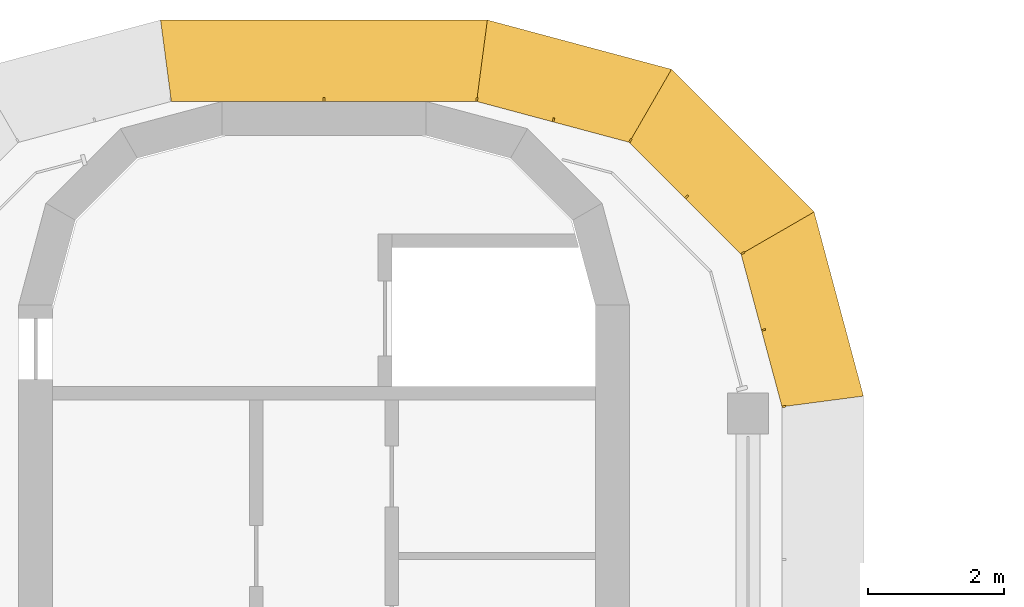
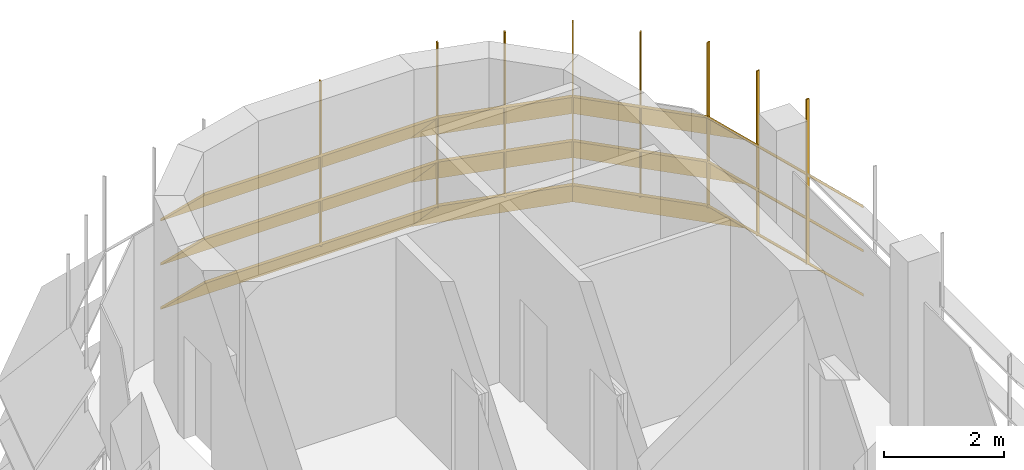
# One storey, part 19 of 19: 2 shading devices.
"""IFC4 building model written with IfcOpenShell, lengths in metres."""

from ifc_helpers import new_model, si_unit, direction, frame, origin, place, context, subcontext, project, spatial, polyline, outline, extrude, faceted_brep, source, transform, mapped, material, type_object, element, save


model = new_model("IFC4")

# Units and contexts
model_context = context("Model", 3, precision=1e-05, world=origin(), true_north=direction((0.0, 1.0)))
body_context = subcontext(model_context, "Body", "Model", "MODEL_VIEW")
ifc_project = project(units=[si_unit("LENGTHUNIT", "METRE"), si_unit("AREAUNIT", "SQUARE_METRE"), si_unit("VOLUMEUNIT", "CUBIC_METRE"), si_unit("PLANEANGLEUNIT", "RADIAN"), si_unit("MASSUNIT", "GRAM", prefix="KILO")], contexts=[model_context])

# Site, building, storey
site_placement = place(None, origin())
site = spatial("IfcSite", under=ifc_project, at=site_placement, CompositionType="ELEMENT")
building_placement = place(site_placement, origin())
building = spatial("IfcBuilding", under=site, at=building_placement, Name="Zarbagh Exchange Tower", CompositionType="ELEMENT")
storey_placement = place(building_placement, frame((0.0, 0.0, 276.39990234375)))
storey = spatial("IfcBuildingStorey", under=building, at=storey_placement, Name="L68", CompositionType="ELEMENT", Elevation=276.39990234375)

# Shading devices
ifc_material = material(Name="Anodised aluminium blades and brackets", Category="aluminium")
shading_device_type = type_object("IfcShadingDeviceType", Name="SUNSHADE louvre band, 45 degree blades", PredefinedType="JALOUSIE", material=ifc_material)
shared_shape_1 = source(origin(), body_context, "Body", "Brep", [
    faceted_brep([(0.0, 0.0, 0.0), (0.0, 0.0, -0.056640625), (-0.157958984375, -1.199951171875, -1.256591796875), (-0.157958984375, -1.199951171875, -1.199951171875), (2.65087890625, -1.199951171875, -1.199951171875), (2.65087890625, -1.199951171875, -1.256591796875), (2.329345703125, 0.0, -0.056640625), (2.329345703125, 0.0, 0.0)], [[[0, 1, 2, 3]], [[4, 5, 6, 7]], [[0, 7, 6, 1]], [[1, 6, 5, 2]], [[2, 5, 4, 3]], [[3, 4, 7, 0]]]),
])
shared_shape_2 = source(origin(), body_context, "Body", "Brep", [
    faceted_brep([(0.0, 0.0, 0.0), (0.0, 0.0, -0.056640625), (-0.321533203125, -1.199951171875, -1.256591796875), (-0.321533203125, -1.199951171875, -1.199951171875), (2.65087890625, -1.199951171875, -1.199951171875), (2.65087890625, -1.199951171875, -1.256591796875), (2.329345703125, 0.0, -0.056640625), (2.329345703125, 0.0, 0.0)], [[[0, 1, 2, 3]], [[4, 5, 6, 7]], [[0, 7, 6, 1]], [[1, 6, 5, 2]], [[2, 5, 4, 3]], [[3, 4, 7, 0]]]),
])
shared_shape_3 = source(origin(), body_context, "Body", "Brep", [
    faceted_brep([(0.0, 0.0, 0.0), (0.0, 0.0, -0.056640625), (-0.321533203125, -1.199951171875, -1.256591796875), (-0.321533203125, -1.199951171875, -1.199951171875), (2.4873046875, -1.199951171875, -1.199951171875), (2.4873046875, -1.199951171875, -1.256591796875), (2.329345703125, 0.0, -0.056640625), (2.329345703125, 0.0, 0.0)], [[[0, 1, 2, 3]], [[4, 5, 6, 7]], [[0, 7, 6, 1]], [[1, 6, 5, 2]], [[2, 5, 4, 3]], [[3, 4, 7, 0]]]),
])
shared_shape_4 = source(origin(), body_context, "Body", "SweptSolid", [
    extrude(outline(polyline([(0.0, -0.012451171875), (0.06005859375, -0.012451171875), (0.06005859375, 0.012451171875), (0.0, 0.012451171875), (0.0, -0.012451171875)])), origin(), (0.0, 0.0, 1.0), 3.366455078125),
])
placement = place(storey_placement, origin())
element("IfcShadingDevice", 1, at=placement, inside=storey, type_object=shading_device_type, Name="SS46 sunshade band", PredefinedType="JALOUSIE", context=body_context, shape_type="MappedRepresentation", body=[
    mapped(shared_shape_1, transform((6.75, 24.75, 2.300048828125), x_axis=(-0.258824779902, 0.965924289636, 0.0), y_axis=(-0.965924289636, -0.258824779902, 0.0), z_axis=(0.0, 0.0, 1.0))),
    mapped(shared_shape_1, transform((6.75, 24.75, 1.400146484375), x_axis=(-0.258824779902, 0.965924289636, 0.0), y_axis=(-0.965924289636, -0.258824779902, 0.0), z_axis=(0.0, 0.0, 1.0))),
    mapped(shared_shape_1, transform((6.75, 24.75, 0.5), x_axis=(-0.258824779902, 0.965924289636, 0.0), y_axis=(-0.965924289636, -0.258824779902, 0.0), z_axis=(0.0, 0.0, 1.0))),
    mapped(shared_shape_2, transform((6.147216796875, 27.0, 2.300048828125), x_axis=(-0.707106781187, 0.707106781187, 0.0), y_axis=(-0.707106781187, -0.707106781187, 0.0), z_axis=(0.0, 0.0, 1.0))),
    mapped(shared_shape_2, transform((6.147216796875, 27.0, 1.400146484375), x_axis=(-0.707106781187, 0.707106781187, 0.0), y_axis=(-0.707106781187, -0.707106781187, 0.0), z_axis=(0.0, 0.0, 1.0))),
    mapped(shared_shape_2, transform((6.147216796875, 27.0, 0.5), x_axis=(-0.707106781187, 0.707106781187, 0.0), y_axis=(-0.707106781187, -0.707106781187, 0.0), z_axis=(0.0, 0.0, 1.0))),
    mapped(shared_shape_3, transform((4.5, 28.647216796875, 2.300048828125), x_axis=(-0.965924289636, 0.258824779902, 0.0), y_axis=(-0.258824779902, -0.965924289636, 0.0), z_axis=(0.0, 0.0, 1.0))),
    mapped(shared_shape_3, transform((4.5, 28.647216796875, 1.400146484375), x_axis=(-0.965924289636, 0.258824779902, 0.0), y_axis=(-0.258824779902, -0.965924289636, 0.0), z_axis=(0.0, 0.0, 1.0))),
    mapped(shared_shape_3, transform((4.5, 28.647216796875, 0.5), x_axis=(-0.965924289636, 0.258824779902, 0.0), y_axis=(-0.258824779902, -0.965924289636, 0.0), z_axis=(0.0, 0.0, 1.0))),
    mapped(shared_shape_4, transform((6.75, 24.75, 0.41357421875), x_axis=(0.991444457092, 0.130529263012, 0.0), y_axis=(-0.130529263012, 0.991444457092, 0.0), z_axis=(0.0, 0.0, 1.0))),
    mapped(shared_shape_4, transform((6.448486328125, 25.875, 0.41357421875), x_axis=(0.96592421511, 0.258825058029, 0.0), y_axis=(-0.258825058029, 0.96592421511, 0.0), z_axis=(0.0, 0.0, 1.0))),
    mapped(shared_shape_4, transform((6.147216796875, 27.0, 0.41357421875), x_axis=(0.866023812018, 0.50000275701, 0.0), y_axis=(-0.50000275701, 0.866023812018, 0.0), z_axis=(0.0, 0.0, 1.0))),
    mapped(shared_shape_4, transform((5.323486328125, 27.823486328125, 0.41357421875), x_axis=(0.707106781187, 0.707106781187, 0.0), y_axis=(-0.707106781187, 0.707106781187, 0.0), z_axis=(0.0, 0.0, 1.0))),
    mapped(shared_shape_4, transform((4.5, 28.647216796875, 0.41357421875), x_axis=(0.50000275701, 0.866023812018, 0.0), y_axis=(-0.866023812018, 0.50000275701, 0.0), z_axis=(0.0, 0.0, 1.0))),
    mapped(shared_shape_4, transform((3.375, 28.948486328125, 0.41357421875), x_axis=(0.258825058029, 0.96592421511, 0.0), y_axis=(-0.96592421511, 0.258825058029, 0.0), z_axis=(0.0, 0.0, 1.0))),
])
shared_shape_5 = source(origin(), body_context, "Body", "Brep", [
    faceted_brep([(0.0, 0.0, 0.0), (0.0, 0.0, -0.056640625), (-0.157958984375, -1.199951171875, -1.256591796875), (-0.157958984375, -1.199951171875, -1.199951171875), (4.657958984375, -1.199951171875, -1.199951171875), (4.657958984375, -1.199951171875, -1.256591796875), (4.5, 0.0, -0.056640625), (4.5, 0.0, 0.0)], [[[0, 1, 2, 3]], [[4, 5, 6, 7]], [[0, 7, 6, 1]], [[1, 6, 5, 2]], [[2, 5, 4, 3]], [[3, 4, 7, 0]]]),
])
element("IfcShadingDevice", 2, at=placement, inside=storey, type_object=shading_device_type, Name="SS47 sunshade band", PredefinedType="JALOUSIE", context=body_context, shape_type="MappedRepresentation", body=[
    mapped(shared_shape_5, transform((2.25, 29.25, 2.300048828125), x_axis=(-1.0, 0.0, 0.0), y_axis=(0.0, -1.0, 0.0), z_axis=(0.0, 0.0, 1.0))),
    mapped(shared_shape_5, transform((2.25, 29.25, 1.400146484375), x_axis=(-1.0, 0.0, 0.0), y_axis=(0.0, -1.0, 0.0), z_axis=(0.0, 0.0, 1.0))),
    mapped(shared_shape_5, transform((2.25, 29.25, 0.5), x_axis=(-1.0, 0.0, 0.0), y_axis=(0.0, -1.0, 0.0), z_axis=(0.0, 0.0, 1.0))),
    mapped(shared_shape_4, transform((2.25, 29.25, 0.41357421875), x_axis=(0.130529263012, 0.991444457092, 0.0), y_axis=(-0.991444457092, 0.130529263012, 0.0), z_axis=(0.0, 0.0, 1.0))),
    mapped(shared_shape_4, transform((0.0, 29.25, 0.41357421875), x_axis=(0.0, 1.0, 0.0), y_axis=(-1.0, 0.0, 0.0), z_axis=(0.0, 0.0, 1.0))),
])

save(model, "model.ifc")
